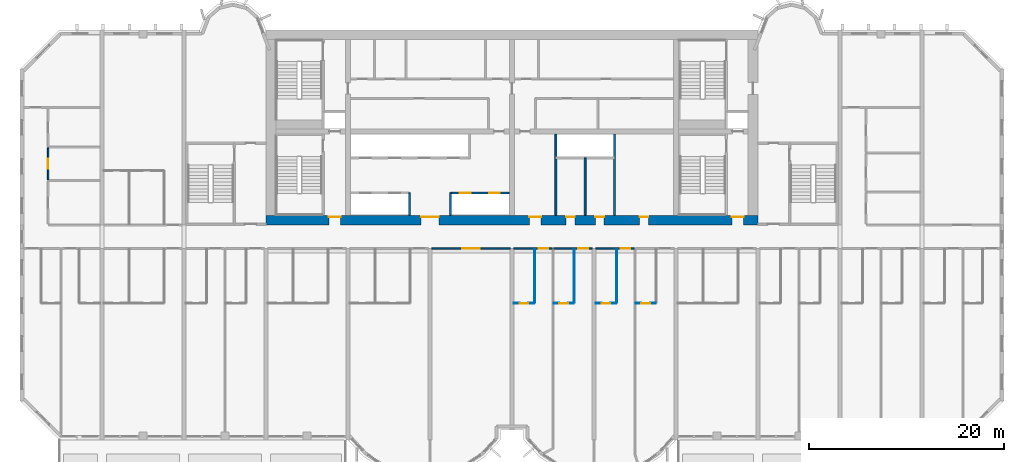
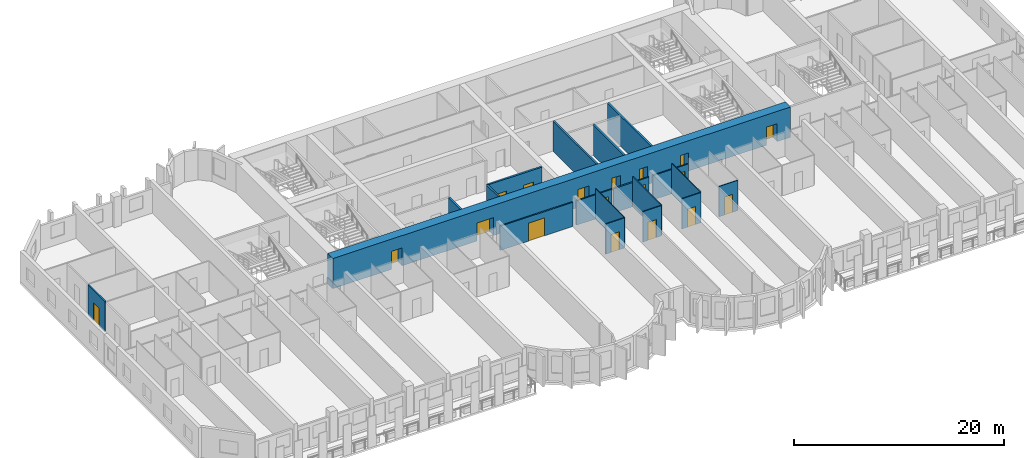
# One storey, part 5 of 14: 19 walls, 18 doors, 18 openings.
"""IFC4 building model written with IfcOpenShell, lengths in metres."""

from ifc_helpers import new_model, si_unit, direction, frame, frame_2d, origin, place, context, subcontext, project, spatial, rectangle, extrude, source, transform, mapped, material, layer, layer_set, type_object, element, fill, save


model = new_model("IFC4")

# Units and contexts
model_context = context("Model", 3, precision=1e-05, world=origin(), true_north=direction((0.0, 1.0)))
body_context = subcontext(model_context, "Body", "Model", "MODEL_VIEW")
ifc_project = project(units=[si_unit("LENGTHUNIT", "METRE"), si_unit("AREAUNIT", "SQUARE_METRE"), si_unit("VOLUMEUNIT", "CUBIC_METRE"), si_unit("PLANEANGLEUNIT", "RADIAN"), si_unit("MASSUNIT", "GRAM", prefix="KILO")], contexts=[model_context])

# Site, building, storey
site_placement = place(None, origin())
site = spatial("IfcSite", under=ifc_project, at=site_placement, CompositionType="ELEMENT")
building_placement = place(site_placement, origin())
building = spatial("IfcBuilding", under=site, at=building_placement, Name="Vanashikhar Sky Hotel", CompositionType="ELEMENT")
storey_placement = place(building_placement, frame((0.0, 0.0, 54.39990234375)))
storey = spatial("IfcBuildingStorey", under=building, at=storey_placement, Name="L12", CompositionType="ELEMENT", Elevation=54.39990234375)

# Wall, openings, doors
ifc_material_1 = material(Name="Concrete M80", Category="concrete")
ifc_layer_1 = layer(ifc_material_1, 1.0)
ifc_layer_set_1 = layer_set([ifc_layer_1], Name="RC core shell wall 1000 Concrete M80")
wall_type_1 = type_object("IfcWallType", Name="RC core shell wall 1000 Concrete M80", PredefinedType="SHEAR", material=ifc_layer_set_1)
shared_shape_1 = source(origin(), body_context, "Body", "SweptSolid", [
    extrude(rectangle(XDim=50.400146484375, YDim=1.0, at=frame_2d((25.2001953125, 0.0))), origin(), (0.0, 0.0, 1.0), 3.52001953125),
])
wall_1_placement = place(storey_placement, frame((25.199951171875, 22.5, 0.0), z_axis=(0.0, 0.0, 1.0), x_axis=(1.0, 0.0, 0.0)))
wall_1 = element("IfcWall", 1, at=wall_1_placement, inside=storey, type_object=wall_type_1, Name="KW-L12-KS", PredefinedType="SHEAR", context=body_context, shape_type="MappedRepresentation", body=[
    mapped(shared_shape_1, transform((0.0, 0.0, 0.0), scale=1.0)),
])
shared_shape_2 = source(origin(), body_context, "Body", "SweptSolid", [
    extrude(rectangle(XDim=1.800048828125, YDim=2.10009765625, at=frame_2d((0.89990234375, 1.050048828125))), frame((0.0, 0.510009765625, 0.0), z_axis=(0.0, -1.0, 0.0), x_axis=(1.0, 0.0, 0.0)), (0.0, 0.0, 1.0), 1.02001953125),
])
opening_1_placement = place(wall_1_placement, frame((15.89990234375, 0.0, 0.0)))
opening_1 = element("IfcOpeningElement", 2, at=opening_1_placement, cuts=wall_1, Name="Opening DC-3-A", PredefinedType="OPENING", context=body_context, shape_type="MappedRepresentation", body=[
    mapped(shared_shape_2, transform((0.0, 0.0, 0.0), scale=1.0)),
])
shared_shape_3 = source(origin(), body_context, "Body", "SweptSolid", [
    extrude(rectangle(XDim=1.199951171875, YDim=2.10009765625, at=frame_2d((0.60009765625, 1.050048828125))), frame((0.0, 0.510009765625, 0.0), z_axis=(0.0, -1.0, 0.0), x_axis=(1.0, 0.0, 0.0)), (0.0, 0.0, 1.0), 1.02001953125),
])
opening_2_placement = place(wall_1_placement, frame((26.987060546875, 0.0, 0.0)))
opening_2 = element("IfcOpeningElement", 3, at=opening_2_placement, cuts=wall_1, Name="Opening DC-4-B", PredefinedType="OPENING", context=body_context, shape_type="MappedRepresentation", body=[
    mapped(shared_shape_3, transform((0.0, 0.0, 0.0), scale=1.0)),
])
shared_shape_4 = source(origin(), body_context, "Body", "SweptSolid", [
    extrude(rectangle(XDim=0.89990234375, YDim=2.10009765625, at=frame_2d((0.449951171875, 1.050048828125))), frame((0.0, 0.510009765625, 0.0), z_axis=(0.0, -1.0, 0.0), x_axis=(1.0, 0.0, 0.0)), (0.0, 0.0, 1.0), 1.02001953125),
])
opening_3_placement = place(wall_1_placement, frame((33.75, 0.0, 0.0)))
opening_3 = element("IfcOpeningElement", 4, at=opening_3_placement, cuts=wall_1, Name="Opening DC-4-A", PredefinedType="OPENING", context=body_context, shape_type="MappedRepresentation", body=[
    mapped(shared_shape_4, transform((0.0, 0.0, 0.0), scale=1.0)),
])
opening_4_placement = place(wall_1_placement, frame((30.75, 0.0, 0.0)))
opening_4 = element("IfcOpeningElement", 5, at=opening_4_placement, cuts=wall_1, Name="Opening DC-4-A", PredefinedType="OPENING", context=body_context, shape_type="MappedRepresentation", body=[
    mapped(shared_shape_4, transform((0.0, 0.0, 0.0), scale=1.0)),
])
opening_5_placement = place(wall_1_placement, frame((38.261962890625, 0.0, 0.0)))
opening_5 = element("IfcOpeningElement", 6, at=opening_5_placement, cuts=wall_1, Name="Opening DC-4-A", PredefinedType="OPENING", context=body_context, shape_type="MappedRepresentation", body=[
    mapped(shared_shape_4, transform((0.0, 0.0, 0.0), scale=1.0)),
])
opening_6_placement = place(wall_1_placement, frame((6.43798828125, 0.0, 0.0)))
opening_6 = element("IfcOpeningElement", 7, at=opening_6_placement, cuts=wall_1, Name="Opening DC-2", PredefinedType="OPENING", context=body_context, shape_type="MappedRepresentation", body=[
    mapped(shared_shape_3, transform((0.0, 0.0, 0.0), scale=1.0)),
])
opening_7_placement = place(wall_1_placement, frame((47.72509765625, 0.0, 0.0)))
opening_7 = element("IfcOpeningElement", 8, at=opening_7_placement, cuts=wall_1, Name="Opening DC-2", PredefinedType="OPENING", context=body_context, shape_type="MappedRepresentation", body=[
    mapped(shared_shape_3, transform((0.0, 0.0, 0.0), scale=1.0)),
])
ifc_material_2 = material(Name="Glass", Category="glass")
door_type_1 = type_object("IfcDoorType", Name="Lift lobby entrance door 1800 FD30S", OperationType="NOTDEFINED", PredefinedType="DOOR", material=ifc_material_2)
shared_shape_5 = source(origin(), body_context, "Body", "SweptSolid", [
    extrude(rectangle(XDim=1.800048828125, YDim=2.10009765625, at=frame_2d((0.89990234375, 1.050048828125))), frame((0.0, 0.375, 0.0), z_axis=(0.0, -1.0, 0.0), x_axis=(1.0, 0.0, 0.0)), (0.0, 0.0, 1.0), 0.050048828125),
])
door_1_placement = place(opening_1_placement, origin())
door_1 = element("IfcDoor", 9, at=door_1_placement, inside=storey, type_object=door_type_1, Name="Lift lobby entrance door 1800 FD30S", OperationType="DOUBLE_DOOR_SINGLE_SWING", OverallHeight=2.10009765625, OverallWidth=1.800048828125, PredefinedType="DOOR", context=body_context, shape_type="MappedRepresentation", body=[
    mapped(shared_shape_5, transform((0.0, 0.0, 0.0), scale=1.0)),
])
fill(opening_1, door_1)
ifc_material_3 = material(Name="Steel", Category="steel")
door_type_2 = type_object("IfcDoorType", Name="Service door 1200 FD60", OperationType="NOTDEFINED", PredefinedType="DOOR", material=ifc_material_3)
shared_shape_6 = source(origin(), body_context, "Body", "SweptSolid", [
    extrude(rectangle(XDim=1.199951171875, YDim=2.10009765625, at=frame_2d((0.60009765625, 1.050048828125))), frame((0.0, 0.375, 0.0), z_axis=(0.0, -1.0, 0.0), x_axis=(1.0, 0.0, 0.0)), (0.0, 0.0, 1.0), 0.050048828125),
])
door_2_placement = place(opening_2_placement, origin())
door_2 = element("IfcDoor", 10, at=door_2_placement, inside=storey, type_object=door_type_2, Name="Service door 1200 FD60", OperationType="SINGLE_SWING_RIGHT", OverallHeight=2.10009765625, OverallWidth=1.199951171875, PredefinedType="DOOR", context=body_context, shape_type="MappedRepresentation", body=[
    mapped(shared_shape_6, transform((0.0, 0.0, 0.0), scale=1.0)),
])
fill(opening_2, door_2)
door_type_3 = type_object("IfcDoorType", Name="Firefighting lobby door 1200 FD120", OperationType="NOTDEFINED", PredefinedType="DOOR", material=ifc_material_3)
door_3_placement = place(opening_6_placement, origin())
door_3 = element("IfcDoor", 11, at=door_3_placement, inside=storey, type_object=door_type_3, Name="Firefighting lobby door 1200 FD120", OperationType="SINGLE_SWING_RIGHT", OverallHeight=2.10009765625, OverallWidth=1.199951171875, PredefinedType="DOOR", context=body_context, shape_type="MappedRepresentation", body=[
    mapped(shared_shape_6, transform((0.0, 0.0, 0.0), scale=1.0)),
])
fill(opening_6, door_3)
door_4_placement = place(opening_7_placement, origin())
door_4 = element("IfcDoor", 12, at=door_4_placement, inside=storey, type_object=door_type_3, Name="Firefighting lobby door 1200 FD120", OperationType="SINGLE_SWING_LEFT", OverallHeight=2.10009765625, OverallWidth=1.199951171875, PredefinedType="DOOR", context=body_context, shape_type="MappedRepresentation", body=[
    mapped(shared_shape_6, transform((0.0, 0.0, 0.0), scale=1.0)),
])
fill(opening_7, door_4)
door_type_4 = type_object("IfcDoorType", Name="Service door 900 FD60", OperationType="NOTDEFINED", PredefinedType="DOOR", material=ifc_material_3)
shared_shape_7 = source(origin(), body_context, "Body", "SweptSolid", [
    extrude(rectangle(XDim=0.89990234375, YDim=2.10009765625, at=frame_2d((0.449951171875, 1.050048828125))), frame((0.0, 0.375, 0.0), z_axis=(0.0, -1.0, 0.0), x_axis=(1.0, 0.0, 0.0)), (0.0, 0.0, 1.0), 0.050048828125),
])
door_5_placement = place(opening_3_placement, origin())
door_5 = element("IfcDoor", 13, at=door_5_placement, inside=storey, type_object=door_type_4, Name="Service door 900 FD60", OperationType="SINGLE_SWING_RIGHT", OverallHeight=2.10009765625, OverallWidth=0.89990234375, PredefinedType="DOOR", context=body_context, shape_type="MappedRepresentation", body=[
    mapped(shared_shape_7, transform((0.0, 0.0, 0.0), scale=1.0)),
])
fill(opening_3, door_5)
door_6_placement = place(opening_4_placement, origin())
door_6 = element("IfcDoor", 14, at=door_6_placement, inside=storey, type_object=door_type_4, Name="Service door 900 FD60", OperationType="SINGLE_SWING_LEFT", OverallHeight=2.10009765625, OverallWidth=0.89990234375, PredefinedType="DOOR", context=body_context, shape_type="MappedRepresentation", body=[
    mapped(shared_shape_7, transform((0.0, 0.0, 0.0), scale=1.0)),
])
fill(opening_4, door_6)
door_7_placement = place(opening_5_placement, origin())
door_7 = element("IfcDoor", 15, at=door_7_placement, inside=storey, type_object=door_type_4, Name="Service door 900 FD60", OperationType="SINGLE_SWING_LEFT", OverallHeight=2.10009765625, OverallWidth=0.89990234375, PredefinedType="DOOR", context=body_context, shape_type="MappedRepresentation", body=[
    mapped(shared_shape_7, transform((0.0, 0.0, 0.0), scale=1.0)),
])
fill(opening_5, door_7)

ifc_material_4 = material(Name="Concrete M40", Category="concrete")
ifc_layer_2 = layer(ifc_material_4, 0.199951171875)
ifc_layer_set_2 = layer_set([ifc_layer_2], Name="Shaft wall 200")
wall_type_2 = type_object("IfcWallType", Name="Shaft wall 200", PredefinedType="SOLIDWALL", material=ifc_layer_set_2)
shared_shape_8 = source(origin(), body_context, "Body", "SweptSolid", [
    extrude(rectangle(XDim=6.0, YDim=0.199951171875, at=frame_2d((3.0, 0.0))), origin(), (0.0, 0.0, 1.0), 3.52001953125),
])
wall_2_placement = place(storey_placement, frame((44.10009765625, 25.300048828125, 0.0), z_axis=(0.0, 0.0, 1.0), x_axis=(1.0, 0.0, 0.0)))
wall_2 = element("IfcWall", 16, at=wall_2_placement, inside=storey, type_object=wall_type_2, Name="Shaft wall 200", PredefinedType="SOLIDWALL", context=body_context, shape_type="MappedRepresentation", body=[
    mapped(shared_shape_8, transform((0.0, 0.0, 0.0), scale=1.0)),
])
shared_shape_9 = source(origin(), body_context, "Body", "SweptSolid", [
    extrude(rectangle(XDim=1.10009765625, YDim=2.10009765625, at=frame_2d((0.550048828125, 1.050048828125))), frame((0.0, 0.10986328125, 0.0), z_axis=(0.0, -1.0, 0.0), x_axis=(1.0, 0.0, 0.0)), (0.0, 0.0, 1.0), 0.219970703125),
])
opening_8_placement = place(wall_2_placement, frame((0.949951171875, 0.0, 0.0)))
opening_8 = element("IfcOpeningElement", 17, at=opening_8_placement, cuts=wall_2, Name="Opening LD", PredefinedType="OPENING", context=body_context, shape_type="MappedRepresentation", body=[
    mapped(shared_shape_9, transform((0.0, 0.0, 0.0), scale=1.0)),
])
opening_9_placement = place(wall_2_placement, frame((3.949951171875, 0.0, 0.0)))
opening_9 = element("IfcOpeningElement", 18, at=opening_9_placement, cuts=wall_2, Name="Opening LD", PredefinedType="OPENING", context=body_context, shape_type="MappedRepresentation", body=[
    mapped(shared_shape_9, transform((0.0, 0.0, 0.0), scale=1.0)),
])
ifc_material_5 = material(Name="Stainless steel", Category="steel")
door_type_5 = type_object("IfcDoorType", Name="Lift landing door 1100", OperationType="NOTDEFINED", PredefinedType="DOOR", material=ifc_material_5)
shared_shape_10 = source(origin(), body_context, "Body", "SweptSolid", [
    extrude(rectangle(XDim=1.10009765625, YDim=2.10009765625, at=frame_2d((0.550048828125, 1.050048828125))), frame((0.0, 0.02490234375, 0.0), z_axis=(0.0, -1.0, 0.0), x_axis=(1.0, 0.0, 0.0)), (0.0, 0.0, 1.0), 0.050048828125),
])
door_8_placement = place(opening_8_placement, origin())
door_8 = element("IfcDoor", 19, at=door_8_placement, inside=storey, type_object=door_type_5, Name="Lift landing door 1100", OperationType="SLIDING_TO_LEFT", OverallHeight=2.10009765625, OverallWidth=1.10009765625, PredefinedType="DOOR", context=body_context, shape_type="MappedRepresentation", body=[
    mapped(shared_shape_10, transform((0.0, 0.0, 0.0), scale=1.0)),
])
fill(opening_8, door_8)
door_9_placement = place(opening_9_placement, origin())
door_9 = element("IfcDoor", 20, at=door_9_placement, inside=storey, type_object=door_type_5, Name="Lift landing door 1100", OperationType="SLIDING_TO_RIGHT", OverallHeight=2.10009765625, OverallWidth=1.10009765625, PredefinedType="DOOR", context=body_context, shape_type="MappedRepresentation", body=[
    mapped(shared_shape_10, transform((0.0, 0.0, 0.0), scale=1.0)),
])
fill(opening_9, door_9)

# Walls
shared_shape_11 = source(origin(), body_context, "Body", "SweptSolid", [
    extrude(rectangle(XDim=2.300048828125, YDim=0.199951171875, at=frame_2d((1.14990234375, 0.0))), origin(), (0.0, 0.0, 1.0), 3.52001953125),
])
for number, where, z_axis, x_axis, name in (
    (21, (39.89990234375, 23.0, 0.0), (0.0, 0.0, 1.0), (0.0, 1.0, 0.0), "Shaft wall 200"),
    (22, (44.10009765625, 23.0, 0.0), (0.0, 0.0, 1.0), (0.0, 1.0, 0.0), "Shaft wall 200"),
):
    element("IfcWall", number, at=place(storey_placement, frame(where, z_axis=z_axis, x_axis=x_axis)), inside=storey, type_object=wall_type_2, Name=name, PredefinedType="SOLIDWALL", context=body_context, shape_type="MappedRepresentation", body=[
        mapped(shared_shape_11, transform((0.0, 0.0, 0.0), scale=1.0)),
    ])
ifc_material_6 = material(Name="Gypsum board partition")
ifc_layer_3 = layer(ifc_material_6, 0.14990234375)
ifc_layer_set_3 = layer_set([ifc_layer_3], Name="Service partition 150")
wall_type_3 = type_object("IfcWallType", Name="Service partition 150", PredefinedType="PARTITIONING", material=ifc_layer_set_3)
shared_shape_12 = source(origin(), body_context, "Body", "SweptSolid", [
    extrude(rectangle(XDim=8.324951171875, YDim=0.199951171875, at=frame_2d((4.16259765625, 0.0))), origin(), (0.0, 0.0, 1.0), 3.52001953125),
])
for number, where, z_axis, x_axis, name in (
    (23, (54.89990234375, 23.0, 0.0), (0.0, 0.0, 1.0), (0.0, 1.0, 0.0), "Service partition 150"),
    (24, (60.89990234375, 23.0, 0.0), (0.0, 0.0, 1.0), (0.0, 1.0, 0.0), "Service partition 150"),
):
    element("IfcWall", number, at=place(storey_placement, frame(where, z_axis=z_axis, x_axis=x_axis)), inside=storey, type_object=wall_type_3, Name=name, PredefinedType="PARTITIONING", context=body_context, shape_type="MappedRepresentation", body=[
        mapped(shared_shape_12, transform((0.0, 0.0, 0.0), scale=1.0)),
    ])
shared_shape_13 = source(origin(), body_context, "Body", "SweptSolid", [
    extrude(rectangle(XDim=5.89990234375, YDim=0.199951171875, at=frame_2d((2.949951171875, 0.0))), origin(), (0.0, 0.0, 1.0), 3.52001953125),
])
wall_3_placement = place(storey_placement, frame((57.89990234375, 23.0, 0.0), z_axis=(0.0, 0.0, 1.0), x_axis=(0.0, 1.0, 0.0)))
element("IfcWall", 25, at=wall_3_placement, inside=storey, type_object=wall_type_3, Name="Service partition 150", PredefinedType="PARTITIONING", context=body_context, shape_type="MappedRepresentation", body=[
    mapped(shared_shape_13, transform((0.0, 0.0, 0.0), scale=1.0)),
])

# Wall, opening, door
ifc_material_7 = material(Name="Gypsum plasterboard partition")
ifc_layer_4 = layer(ifc_material_7, 0.14990234375)
ifc_layer_set_4 = layer_set([ifc_layer_4], Name="Corridor and demising partition 150")
wall_type_4 = type_object("IfcWallType", Name="Corridor and demising partition 150", PredefinedType="PARTITIONING", material=ifc_layer_set_4)
shared_shape_14 = source(origin(), body_context, "Body", "SweptSolid", [
    extrude(rectangle(XDim=3.25, YDim=0.14990234375, at=frame_2d((1.625, 0.0))), origin(), (0.0, 0.0, 1.0), 3.52001953125),
])
wall_4_placement = place(storey_placement, frame((2.875, 26.675048828125, 0.0), z_axis=(0.0, 0.0, 1.0), x_axis=(0.0, 1.0, 0.0)))
wall_4 = element("IfcWall", 26, at=wall_4_placement, inside=storey, type_object=wall_type_4, Name="W-L12-PW076", PredefinedType="PARTITIONING", context=body_context, shape_type="MappedRepresentation", body=[
    mapped(shared_shape_14, transform((0.0, 0.0, 0.0), scale=1.0)),
])
shared_shape_15 = source(origin(), body_context, "Body", "SweptSolid", [
    extrude(rectangle(XDim=1.0, YDim=2.10009765625, at=frame_2d((0.5, 1.050048828125))), frame((0.0, 0.0849609375, 0.0), z_axis=(0.0, -1.0, 0.0), x_axis=(1.0, 0.0, 0.0)), (0.0, 0.0, 1.0), 0.169921875),
])
opening_10_placement = place(wall_4_placement, frame((1.125, 0.0, 0.0)))
opening_10 = element("IfcOpeningElement", 27, at=opening_10_placement, cuts=wall_4, Name="Opening D-01", PredefinedType="OPENING", context=body_context, shape_type="MappedRepresentation", body=[
    mapped(shared_shape_15, transform((0.0, 0.0, 0.0), scale=1.0)),
])
ifc_material_8 = material(Name="Timber fire door", Category="wood")
door_type_6 = type_object("IfcDoorType", Name="Guest entry door 1000 FD30S", OperationType="NOTDEFINED", PredefinedType="DOOR", material=ifc_material_8)
shared_shape_16 = source(origin(), body_context, "Body", "SweptSolid", [
    extrude(rectangle(XDim=1.0, YDim=2.10009765625, at=frame_2d((0.5, 1.050048828125))), frame((0.0, 0.02490234375, 0.0), z_axis=(0.0, -1.0, 0.0), x_axis=(1.0, 0.0, 0.0)), (0.0, 0.0, 1.0), 0.050048828125),
])
door_10_placement = place(opening_10_placement, origin())
door_10 = element("IfcDoor", 28, at=door_10_placement, inside=storey, type_object=door_type_6, Name="D-L12-043", OperationType="SINGLE_SWING_LEFT", OverallHeight=2.10009765625, OverallWidth=1.0, PredefinedType="DOOR", context=body_context, shape_type="MappedRepresentation", body=[
    mapped(shared_shape_16, transform((0.0, 0.0, 0.0), scale=1.0)),
])
fill(opening_10, door_10)

ifc_layer_5 = layer(ifc_material_7, 0.10009765625)
ifc_layer_set_5 = layer_set([ifc_layer_5], Name="Wet room partition 100")
wall_type_5 = type_object("IfcWallType", Name="Wet room partition 100", PredefinedType="PARTITIONING", material=ifc_layer_set_5)
shared_shape_17 = source(origin(), body_context, "Body", "SweptSolid", [
    extrude(rectangle(XDim=2.074951171875, YDim=0.10009765625, at=frame_2d((1.03759765625, 0.0))), origin(), (0.0, 0.0, 1.0), 3.52001953125),
])
wall_5_placement = place(storey_placement, frame((50.60009765625, 14.0, 0.0), z_axis=(0.0, 0.0, 1.0), x_axis=(1.0, 0.0, 0.0)))
wall_5 = element("IfcWall", 29, at=wall_5_placement, inside=storey, type_object=wall_type_5, Name="W-L12-PW032", PredefinedType="PARTITIONING", context=body_context, shape_type="MappedRepresentation", body=[
    mapped(shared_shape_17, transform((0.0, 0.0, 0.0), scale=1.0)),
])
shared_shape_18 = source(origin(), body_context, "Body", "SweptSolid", [
    extrude(rectangle(XDim=0.89990234375, YDim=2.10009765625, at=frame_2d((0.449951171875, 1.050048828125))), frame((0.0, 0.06005859375, 0.0), z_axis=(0.0, -1.0, 0.0), x_axis=(1.0, 0.0, 0.0)), (0.0, 0.0, 1.0), 0.1201171875),
])
opening_11_placement = place(wall_5_placement, frame((0.5869140625, 0.0, 0.0)))
opening_11 = element("IfcOpeningElement", 30, at=opening_11_placement, cuts=wall_5, Name="Opening D-02", PredefinedType="OPENING", context=body_context, shape_type="MappedRepresentation", body=[
    mapped(shared_shape_18, transform((0.0, 0.0, 0.0), scale=1.0)),
])
ifc_material_9 = material(Name="Timber door", Category="wood")
door_type_7 = type_object("IfcDoorType", Name="Internal door 900", OperationType="NOTDEFINED", PredefinedType="DOOR", material=ifc_material_9)
shared_shape_19 = source(origin(), body_context, "Body", "SweptSolid", [
    extrude(rectangle(XDim=0.89990234375, YDim=2.10009765625, at=frame_2d((0.449951171875, 1.050048828125))), frame((0.0, 0.02490234375, 0.0), z_axis=(0.0, -1.0, 0.0), x_axis=(1.0, 0.0, 0.0)), (0.0, 0.0, 1.0), 0.050048828125),
])
door_11_placement = place(opening_11_placement, origin())
door_11 = element("IfcDoor", 31, at=door_11_placement, inside=storey, type_object=door_type_7, Name="D-L12-019", OperationType="SINGLE_SWING_RIGHT", OverallHeight=2.10009765625, OverallWidth=0.89990234375, PredefinedType="DOOR", context=body_context, shape_type="MappedRepresentation", body=[
    mapped(shared_shape_19, transform((0.0, 0.0, 0.0), scale=1.0)),
])
fill(opening_11, door_11)

wall_6_placement = place(storey_placement, frame((54.675048828125, 14.0, 0.0), z_axis=(0.0, 0.0, 1.0), x_axis=(1.0, 0.0, 0.0)))
wall_6 = element("IfcWall", 32, at=wall_6_placement, inside=storey, type_object=wall_type_5, Name="W-L12-PW035", PredefinedType="PARTITIONING", context=body_context, shape_type="MappedRepresentation", body=[
    mapped(shared_shape_17, transform((0.0, 0.0, 0.0), scale=1.0)),
])
opening_12_placement = place(wall_6_placement, frame((0.587890625, 0.0, 0.0)))
opening_12 = element("IfcOpeningElement", 33, at=opening_12_placement, cuts=wall_6, Name="Opening D-02", PredefinedType="OPENING", context=body_context, shape_type="MappedRepresentation", body=[
    mapped(shared_shape_18, transform((0.0, 0.0, 0.0), scale=1.0)),
])
door_12_placement = place(opening_12_placement, origin())
door_12 = element("IfcDoor", 34, at=door_12_placement, inside=storey, type_object=door_type_7, Name="D-L12-021", OperationType="SINGLE_SWING_RIGHT", OverallHeight=2.10009765625, OverallWidth=0.89990234375, PredefinedType="DOOR", context=body_context, shape_type="MappedRepresentation", body=[
    mapped(shared_shape_19, transform((0.0, 0.0, 0.0), scale=1.0)),
])
fill(opening_12, door_12)

wall_7_placement = place(storey_placement, frame((59.0, 14.0, 0.0), z_axis=(0.0, 0.0, 1.0), x_axis=(1.0, 0.0, 0.0)))
wall_7 = element("IfcWall", 35, at=wall_7_placement, inside=storey, type_object=wall_type_5, Name="W-L12-PW039", PredefinedType="PARTITIONING", context=body_context, shape_type="MappedRepresentation", body=[
    mapped(shared_shape_17, transform((0.0, 0.0, 0.0), scale=1.0)),
])
opening_13_placement = place(wall_7_placement, frame((0.5869140625, 0.0, 0.0)))
opening_13 = element("IfcOpeningElement", 36, at=opening_13_placement, cuts=wall_7, Name="Opening D-02", PredefinedType="OPENING", context=body_context, shape_type="MappedRepresentation", body=[
    mapped(shared_shape_18, transform((0.0, 0.0, 0.0), scale=1.0)),
])
door_13_placement = place(opening_13_placement, origin())
door_13 = element("IfcDoor", 37, at=door_13_placement, inside=storey, type_object=door_type_7, Name="D-L12-023", OperationType="SINGLE_SWING_RIGHT", OverallHeight=2.10009765625, OverallWidth=0.89990234375, PredefinedType="DOOR", context=body_context, shape_type="MappedRepresentation", body=[
    mapped(shared_shape_19, transform((0.0, 0.0, 0.0), scale=1.0)),
])
fill(opening_13, door_13)

wall_8_placement = place(storey_placement, frame((63.074951171875, 14.0, 0.0), z_axis=(0.0, 0.0, 1.0), x_axis=(1.0, 0.0, 0.0)))
wall_8 = element("IfcWall", 38, at=wall_8_placement, inside=storey, type_object=wall_type_5, Name="W-L12-PW042", PredefinedType="PARTITIONING", context=body_context, shape_type="MappedRepresentation", body=[
    mapped(shared_shape_17, transform((0.0, 0.0, 0.0), scale=1.0)),
])
opening_14_placement = place(wall_8_placement, frame((0.587890625, 0.0, 0.0)))
opening_14 = element("IfcOpeningElement", 39, at=opening_14_placement, cuts=wall_8, Name="Opening D-02", PredefinedType="OPENING", context=body_context, shape_type="MappedRepresentation", body=[
    mapped(shared_shape_18, transform((0.0, 0.0, 0.0), scale=1.0)),
])
door_14_placement = place(opening_14_placement, origin())
door_14 = element("IfcDoor", 40, at=door_14_placement, inside=storey, type_object=door_type_7, Name="D-L12-025", OperationType="SINGLE_SWING_RIGHT", OverallHeight=2.10009765625, OverallWidth=0.89990234375, PredefinedType="DOOR", context=body_context, shape_type="MappedRepresentation", body=[
    mapped(shared_shape_19, transform((0.0, 0.0, 0.0), scale=1.0)),
])
fill(opening_14, door_14)

shared_shape_20 = source(origin(), body_context, "Body", "SweptSolid", [
    extrude(rectangle(XDim=3.9248046875, YDim=0.14990234375, at=frame_2d((1.96240234375, 0.0))), origin(), (0.0, 0.0, 1.0), 2.820068359375),
])
wall_9_placement = place(storey_placement, frame((50.60009765625, 19.60009765625, 0.0), z_axis=(0.0, 0.0, 1.0), x_axis=(1.0, 0.0, 0.0)))
wall_9 = element("IfcWall", 41, at=wall_9_placement, inside=storey, type_object=wall_type_4, Name="W-L12-PW033", PredefinedType="PARTITIONING", context=body_context, shape_type="MappedRepresentation", body=[
    mapped(shared_shape_20, transform((0.0, 0.0, 0.0), scale=1.0)),
])
opening_15_placement = place(wall_9_placement, frame((2.52490234375, 0.0, 0.0)))
opening_15 = element("IfcOpeningElement", 42, at=opening_15_placement, cuts=wall_9, Name="Opening D-01", PredefinedType="OPENING", context=body_context, shape_type="MappedRepresentation", body=[
    mapped(shared_shape_15, transform((0.0, 0.0, 0.0), scale=1.0)),
])
door_15_placement = place(opening_15_placement, origin())
door_15 = element("IfcDoor", 43, at=door_15_placement, inside=storey, type_object=door_type_6, Name="D-L12-020", OperationType="SINGLE_SWING_RIGHT", OverallHeight=2.10009765625, OverallWidth=1.0, PredefinedType="DOOR", context=body_context, shape_type="MappedRepresentation", body=[
    mapped(shared_shape_16, transform((0.0, 0.0, 0.0), scale=1.0)),
])
fill(opening_15, door_15)

shared_shape_21 = source(origin(), body_context, "Body", "SweptSolid", [
    extrude(rectangle(XDim=3.925048828125, YDim=0.14990234375, at=frame_2d((1.96240234375, 0.0))), origin(), (0.0, 0.0, 1.0), 2.820068359375),
])
wall_10_placement = place(storey_placement, frame((54.675048828125, 19.60009765625, 0.0), z_axis=(0.0, 0.0, 1.0), x_axis=(1.0, 0.0, 0.0)))
wall_10 = element("IfcWall", 44, at=wall_10_placement, inside=storey, type_object=wall_type_4, Name="W-L12-PW036", PredefinedType="PARTITIONING", context=body_context, shape_type="MappedRepresentation", body=[
    mapped(shared_shape_21, transform((0.0, 0.0, 0.0), scale=1.0)),
])
opening_16_placement = place(wall_10_placement, frame((2.52490234375, 0.0, 0.0)))
opening_16 = element("IfcOpeningElement", 45, at=opening_16_placement, cuts=wall_10, Name="Opening D-01", PredefinedType="OPENING", context=body_context, shape_type="MappedRepresentation", body=[
    mapped(shared_shape_15, transform((0.0, 0.0, 0.0), scale=1.0)),
])
door_16_placement = place(opening_16_placement, origin())
door_16 = element("IfcDoor", 46, at=door_16_placement, inside=storey, type_object=door_type_6, Name="D-L12-022", OperationType="SINGLE_SWING_RIGHT", OverallHeight=2.10009765625, OverallWidth=1.0, PredefinedType="DOOR", context=body_context, shape_type="MappedRepresentation", body=[
    mapped(shared_shape_16, transform((0.0, 0.0, 0.0), scale=1.0)),
])
fill(opening_16, door_16)

wall_11_placement = place(storey_placement, frame((59.0, 19.60009765625, 0.0), z_axis=(0.0, 0.0, 1.0), x_axis=(1.0, 0.0, 0.0)))
wall_11 = element("IfcWall", 47, at=wall_11_placement, inside=storey, type_object=wall_type_4, Name="W-L12-PW040", PredefinedType="PARTITIONING", context=body_context, shape_type="MappedRepresentation", body=[
    mapped(shared_shape_21, transform((0.0, 0.0, 0.0), scale=1.0)),
])
opening_17_placement = place(wall_11_placement, frame((2.52490234375, 0.0, 0.0)))
opening_17 = element("IfcOpeningElement", 48, at=opening_17_placement, cuts=wall_11, Name="Opening D-01", PredefinedType="OPENING", context=body_context, shape_type="MappedRepresentation", body=[
    mapped(shared_shape_15, transform((0.0, 0.0, 0.0), scale=1.0)),
])
door_17_placement = place(opening_17_placement, origin())
door_17 = element("IfcDoor", 49, at=door_17_placement, inside=storey, type_object=door_type_6, Name="D-L12-024", OperationType="SINGLE_SWING_RIGHT", OverallHeight=2.10009765625, OverallWidth=1.0, PredefinedType="DOOR", context=body_context, shape_type="MappedRepresentation", body=[
    mapped(shared_shape_16, transform((0.0, 0.0, 0.0), scale=1.0)),
])
fill(opening_17, door_17)

shared_shape_22 = source(origin(), body_context, "Body", "SweptSolid", [
    extrude(rectangle(XDim=8.0, YDim=0.14990234375, at=frame_2d((4.0, 0.0))), origin(), (0.0, 0.0, 1.0), 2.820068359375),
])
wall_12_placement = place(storey_placement, frame((42.199951171875, 19.60009765625, 0.0), z_axis=(0.0, 0.0, 1.0), x_axis=(1.0, 0.0, 0.0)))
wall_12 = element("IfcWall", 50, at=wall_12_placement, inside=storey, type_object=wall_type_4, Name="W-L12-PW030", PredefinedType="PARTITIONING", context=body_context, shape_type="MappedRepresentation", body=[
    mapped(shared_shape_22, transform((0.0, 0.0, 0.0), scale=1.0)),
])
shared_shape_23 = source(origin(), body_context, "Body", "SweptSolid", [
    extrude(rectangle(XDim=1.800048828125, YDim=2.10009765625, at=frame_2d((0.89990234375, 1.050048828125))), frame((0.0, 0.0849609375, 0.0), z_axis=(0.0, -1.0, 0.0), x_axis=(1.0, 0.0, 0.0)), (0.0, 0.0, 1.0), 0.169921875),
])
opening_18_placement = place(wall_12_placement, frame((3.10009765625, 0.0, 0.0)))
opening_18 = element("IfcOpeningElement", 51, at=opening_18_placement, cuts=wall_12, Name="Opening D-03", PredefinedType="OPENING", context=body_context, shape_type="MappedRepresentation", body=[
    mapped(shared_shape_23, transform((0.0, 0.0, 0.0), scale=1.0)),
])
door_type_8 = type_object("IfcDoorType", Name="Double leaf door 1800 FD30S", OperationType="NOTDEFINED", PredefinedType="DOOR", material=ifc_material_8)
shared_shape_24 = source(origin(), body_context, "Body", "SweptSolid", [
    extrude(rectangle(XDim=1.800048828125, YDim=2.10009765625, at=frame_2d((0.89990234375, 1.050048828125))), frame((0.0, 0.02490234375, 0.0), z_axis=(0.0, -1.0, 0.0), x_axis=(1.0, 0.0, 0.0)), (0.0, 0.0, 1.0), 0.050048828125),
])
door_18_placement = place(opening_18_placement, origin())
door_18 = element("IfcDoor", 52, at=door_18_placement, inside=storey, type_object=door_type_8, Name="D-L12-018", OperationType="DOUBLE_DOOR_SINGLE_SWING", OverallHeight=2.10009765625, OverallWidth=1.800048828125, PredefinedType="DOOR", context=body_context, shape_type="MappedRepresentation", body=[
    mapped(shared_shape_24, transform((0.0, 0.0, 0.0), scale=1.0)),
])
fill(opening_18, door_18)

# Walls
shared_shape_25 = source(origin(), body_context, "Body", "SweptSolid", [
    extrude(rectangle(XDim=5.449951171875, YDim=0.10009765625, at=frame_2d((2.72509765625, 0.0))), origin(), (0.0, 0.0, 1.0), 3.52001953125),
])
for number, where, z_axis, x_axis, name in (
    (53, (52.72509765625, 14.074951171875, 0.0), (0.0, 0.0, 1.0), (0.0, 1.0, 0.0), "W-L12-PW031"),
    (54, (56.800048828125, 14.074951171875, 0.0), (0.0, 0.0, 1.0), (0.0, 1.0, 0.0), "W-L12-PW034"),
    (55, (61.125, 14.074951171875, 0.0), (0.0, 0.0, 1.0), (0.0, 1.0, 0.0), "W-L12-PW038"),
):
    element("IfcWall", number, at=place(storey_placement, frame(where, z_axis=z_axis, x_axis=x_axis)), inside=storey, type_object=wall_type_5, Name=name, PredefinedType="PARTITIONING", context=body_context, shape_type="MappedRepresentation", body=[
        mapped(shared_shape_25, transform((0.0, 0.0, 0.0), scale=1.0)),
    ])

save(model, "model.ifc")
